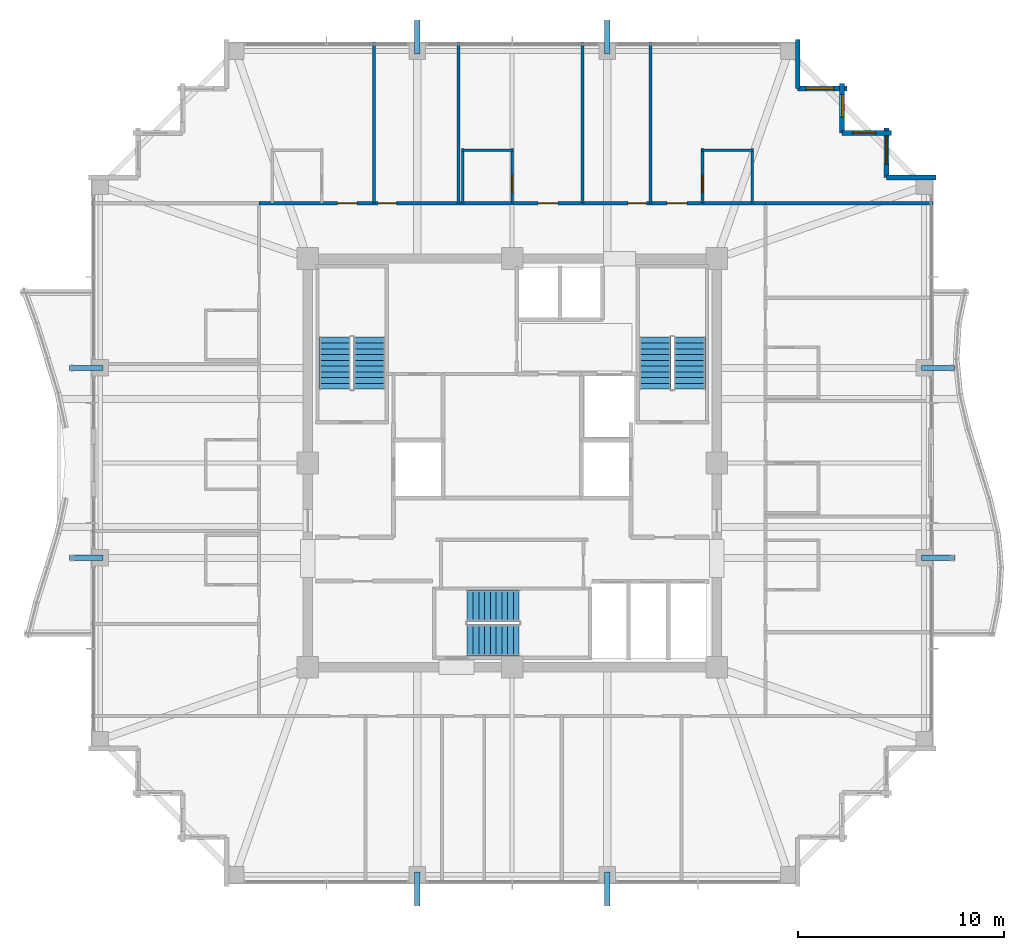
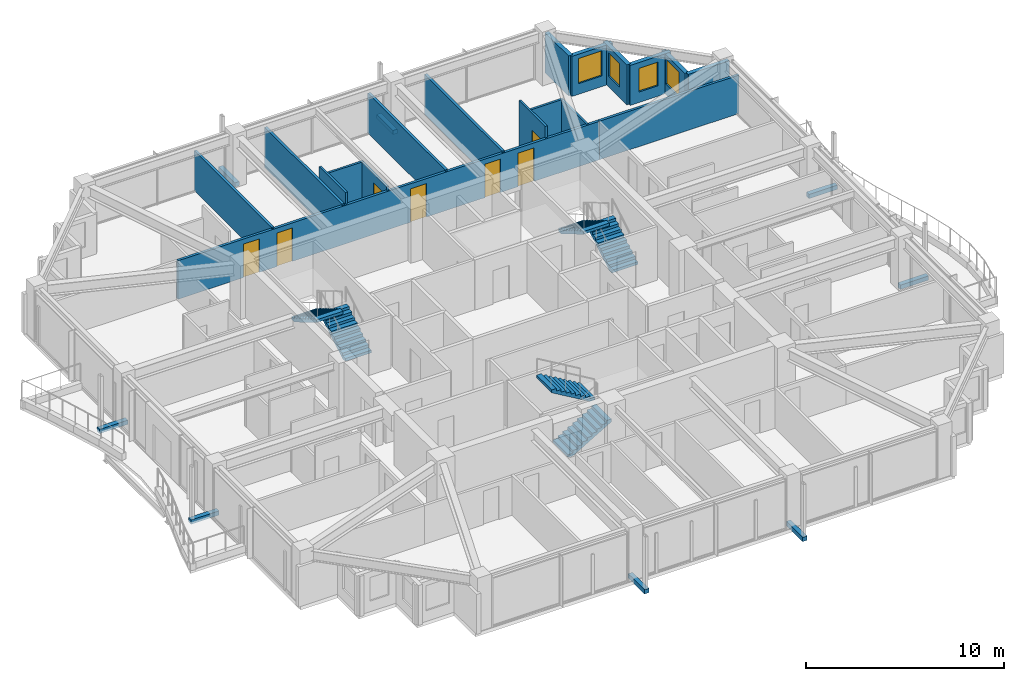
# One storey, part 33 of 35: 18 walls, 8 discrete accessories, 7 doors, 6 stair flights, 4 windows, 11 openings, 3 elements without a shape of their own.
"""IFC4 building model written with IfcOpenShell, lengths in metres."""

from ifc_helpers import new_model, si_unit, direction, frame, frame_2d, origin, origin_2d, place, context, subcontext, project, spatial, polyline, rectangle, outline, extrude, material, layer, layer_set, type_object, element, fill, aggregate, save


model = new_model("IFC4")

# Units and contexts
model_context = context("Model", 3, precision=1e-05, world=origin(), true_north=direction((0.0, 1.0)))
body_context = subcontext(model_context, "Body", "Model", "MODEL_VIEW")
ifc_project = project(units=[si_unit("LENGTHUNIT", "METRE"), si_unit("AREAUNIT", "SQUARE_METRE"), si_unit("VOLUMEUNIT", "CUBIC_METRE"), si_unit("PLANEANGLEUNIT", "RADIAN"), si_unit("MASSUNIT", "GRAM", prefix="KILO")], contexts=[model_context])

# Site, building, storey
site_placement = place(None, origin())
site = spatial("IfcSite", under=ifc_project, at=site_placement, CompositionType="ELEMENT")
building_placement = place(site_placement, origin())
building = spatial("IfcBuilding", under=site, at=building_placement, Name="Kolvaren Belvedere", CompositionType="ELEMENT")
storey_placement = place(building_placement, frame((0.0, 0.0, 216.300048828125)))
storey = spatial("IfcBuildingStorey", under=building, at=storey_placement, Name="L63", CompositionType="ELEMENT", Elevation=216.300048828125)

# Wall, openings, doors
ifc_material_1 = material(Name="Gypsum fire-rated partition assembly", Category="gypsum")
ifc_layer_1 = layer(ifc_material_1, 0.14990234375)
ifc_layer_set_1 = layer_set([ifc_layer_1], Name="Gypsum fire-rated partition assembly")
wall_type_1 = type_object("IfcWallType", Name="WL-CORR-150", PredefinedType="PARTITIONING", material=ifc_layer_set_1)
wall_1_placement = place(storey_placement, frame((-12.260009765625, 12.580078125, 0.0), z_axis=(0.0, 0.0, 1.0), x_axis=(1.0, 0.0, 0.0)))
wall_1 = element("IfcWall", 1, at=wall_1_placement, inside=storey, type_object=wall_type_1, Name="L63 North Corridor Wall", PredefinedType="PARTITIONING", context=body_context, shape_type="SweptSolid", body=[
    extrude(rectangle(XDim=24.52001953125, YDim=0.14990234375, at=frame_2d((12.260009765625, 0.0))), origin(), (0.0, 0.0, 1.0), 2.368896484375),
])
opening_1_placement = place(wall_1_placement, frame((3.802978515625, 0.0, 0.0)))
opening_1 = element("IfcOpeningElement", 2, at=opening_1_placement, cuts=wall_1, Name="Opening D-FD60", PredefinedType="OPENING", context=body_context, shape_type="SweptSolid", body=[
    extrude(rectangle(XDim=0.949951171875, YDim=2.06005859375, at=frame_2d((0.47509765625, 1.030029296875))), frame((0.0, 0.0849609375, 0.0), z_axis=(0.0, -1.0, 0.0), x_axis=(1.0, 0.0, 0.0)), (0.0, 0.0, 1.0), 0.169921875),
])
opening_2_placement = place(wall_1_placement, frame((5.761962890625, 0.0, 0.0)))
opening_2 = element("IfcOpeningElement", 3, at=opening_2_placement, cuts=wall_1, Name="Opening D-INT90", PredefinedType="OPENING", context=body_context, shape_type="SweptSolid", body=[
    extrude(rectangle(XDim=0.89990234375, YDim=2.06005859375, at=frame_2d((0.449951171875, 1.030029296875))), frame((0.0, 0.0849609375, 0.0), z_axis=(0.0, -1.0, 0.0), x_axis=(1.0, 0.0, 0.0)), (0.0, 0.0, 1.0), 0.169921875),
])
opening_3_placement = place(wall_1_placement, frame((13.517578125, 0.0, 0.0)))
opening_3 = element("IfcOpeningElement", 4, at=opening_3_placement, cuts=wall_1, Name="Opening D-FD60", PredefinedType="OPENING", context=body_context, shape_type="SweptSolid", body=[
    extrude(rectangle(XDim=0.949951171875, YDim=2.06005859375, at=frame_2d((0.47509765625, 1.030029296875))), frame((0.0, 0.0849609375, 0.0), z_axis=(0.0, -1.0, 0.0), x_axis=(1.0, 0.0, 0.0)), (0.0, 0.0, 1.0), 0.169921875),
])
opening_4_placement = place(wall_1_placement, frame((17.858154296875, 0.0, 0.0)))
opening_4 = element("IfcOpeningElement", 5, at=opening_4_placement, cuts=wall_1, Name="Opening D-INT90", PredefinedType="OPENING", context=body_context, shape_type="SweptSolid", body=[
    extrude(rectangle(XDim=0.89990234375, YDim=2.06005859375, at=frame_2d((0.449951171875, 1.030029296875))), frame((0.0, 0.0849609375, 0.0), z_axis=(0.0, -1.0, 0.0), x_axis=(1.0, 0.0, 0.0)), (0.0, 0.0, 1.0), 0.169921875),
])
opening_5_placement = place(wall_1_placement, frame((19.76708984375, 0.0, 0.0)))
opening_5 = element("IfcOpeningElement", 6, at=opening_5_placement, cuts=wall_1, Name="Opening D-FD60", PredefinedType="OPENING", context=body_context, shape_type="SweptSolid", body=[
    extrude(rectangle(XDim=0.949951171875, YDim=2.06005859375, at=frame_2d((0.47509765625, 1.030029296875))), frame((0.0, 0.0849609375, 0.0), z_axis=(0.0, -1.0, 0.0), x_axis=(1.0, 0.0, 0.0)), (0.0, 0.0, 1.0), 0.169921875),
])
ifc_material_2 = material(Name="Acoustic white-oak fire door leaf", Category="timber")
door_type_1 = type_object("IfcDoorType", Name="DR-FD60-950", OperationType="NOTDEFINED", PredefinedType="DOOR", material=ifc_material_2)
door_1_placement = place(opening_1_placement, origin())
door_1 = element("IfcDoor", 7, at=door_1_placement, inside=storey, type_object=door_type_1, Name="L63 Botanical Hospitality Suite 6314 Entry Door", OperationType="SINGLE_SWING_RIGHT", OverallHeight=2.06005859375, OverallWidth=0.949951171875, PredefinedType="DOOR", context=body_context, shape_type="SweptSolid", body=[
    extrude(rectangle(XDim=0.949951171875, YDim=2.06005859375, at=frame_2d((0.47509765625, 1.030029296875))), frame((0.0, 0.02490234375, 0.0), z_axis=(0.0, -1.0, 0.0), x_axis=(1.0, 0.0, 0.0)), (0.0, 0.0, 1.0), 0.050048828125),
])
fill(opening_1, door_1)
door_2_placement = place(opening_3_placement, origin())
door_2 = element("IfcDoor", 8, at=door_2_placement, inside=storey, type_object=door_type_1, Name="L63 Botanical Hospitality Suite 6316 Entry Door", OperationType="SINGLE_SWING_LEFT", OverallHeight=2.06005859375, OverallWidth=0.949951171875, PredefinedType="DOOR", context=body_context, shape_type="SweptSolid", body=[
    extrude(rectangle(XDim=0.949951171875, YDim=2.06005859375, at=frame_2d((0.47509765625, 1.030029296875))), frame((0.0, 0.02490234375, 0.0), z_axis=(0.0, -1.0, 0.0), x_axis=(1.0, 0.0, 0.0)), (0.0, 0.0, 1.0), 0.050048828125),
])
fill(opening_3, door_2)
door_3_placement = place(opening_5_placement, origin())
door_3 = element("IfcDoor", 9, at=door_3_placement, inside=storey, type_object=door_type_1, Name="L63 King Guest Room 6318 Entry Door", OperationType="SINGLE_SWING_RIGHT", OverallHeight=2.06005859375, OverallWidth=0.949951171875, PredefinedType="DOOR", context=body_context, shape_type="SweptSolid", body=[
    extrude(rectangle(XDim=0.949951171875, YDim=2.06005859375, at=frame_2d((0.47509765625, 1.030029296875))), frame((0.0, 0.02490234375, 0.0), z_axis=(0.0, -1.0, 0.0), x_axis=(1.0, 0.0, 0.0)), (0.0, 0.0, 1.0), 0.050048828125),
])
fill(opening_5, door_3)
ifc_material_3 = material(Name="Stained Pacific white oak", Category="timber")
door_type_2 = type_object("IfcDoorType", Name="DR-INT-900", OperationType="NOTDEFINED", PredefinedType="DOOR", material=ifc_material_3)
door_4_placement = place(opening_2_placement, origin())
door_4 = element("IfcDoor", 10, at=door_4_placement, inside=storey, type_object=door_type_2, Name="L63 Lounge 6315 Door", OperationType="SINGLE_SWING_LEFT", OverallHeight=2.06005859375, OverallWidth=0.89990234375, PredefinedType="DOOR", context=body_context, shape_type="SweptSolid", body=[
    extrude(rectangle(XDim=0.89990234375, YDim=2.06005859375, at=frame_2d((0.449951171875, 1.030029296875))), frame((0.0, 0.02490234375, 0.0), z_axis=(0.0, -1.0, 0.0), x_axis=(1.0, 0.0, 0.0)), (0.0, 0.0, 1.0), 0.050048828125),
])
fill(opening_2, door_4)
door_5_placement = place(opening_4_placement, origin())
door_5 = element("IfcDoor", 11, at=door_5_placement, inside=storey, type_object=door_type_2, Name="L63 Lounge 6317 Door", OperationType="SINGLE_SWING_RIGHT", OverallHeight=2.06005859375, OverallWidth=0.89990234375, PredefinedType="DOOR", context=body_context, shape_type="SweptSolid", body=[
    extrude(rectangle(XDim=0.89990234375, YDim=2.06005859375, at=frame_2d((0.449951171875, 1.030029296875))), frame((0.0, 0.02490234375, 0.0), z_axis=(0.0, -1.0, 0.0), x_axis=(1.0, 0.0, 0.0)), (0.0, 0.0, 1.0), 0.050048828125),
])
fill(opening_4, door_5)

# Wall
ifc_material_4 = material(Name="Insulated pale-metal facade wall assembly", Category="aluminium")
ifc_layer_2 = layer(ifc_material_4, 0.239990234375)
ifc_layer_set_2 = layer_set([ifc_layer_2], Name="Insulated pale-metal facade wall assembly")
wall_type_2 = type_object("IfcWallType", Name="WL-EXT-240", PredefinedType="STANDARD", material=ifc_layer_set_2)
wall_2_placement = place(storey_placement, frame((18.1298828125, 13.830078125, 0.0), z_axis=(0.0, 0.0, 1.0), x_axis=(1.0, 0.0, 0.0)))
element("IfcWall", 12, at=wall_2_placement, inside=storey, type_object=wall_type_2, Name="L63 Serrated Corner Facade Wall 9", PredefinedType="STANDARD", context=body_context, shape_type="SweptSolid", body=[
    extrude(rectangle(XDim=2.39013671875, YDim=0.239990234375, at=frame_2d((1.195068359375, 0.0))), origin(), (0.0, 0.0, 1.0), 2.462890625),
])

# Wall, opening, window
wall_3_placement = place(storey_placement, frame((18.1298828125, 16.219970703125, 0.0), z_axis=(0.0, 0.0, 1.0), x_axis=(0.0, -1.0, 0.0)))
wall_3 = element("IfcWall", 13, at=wall_3_placement, inside=storey, type_object=wall_type_2, Name="L63 Serrated Corner Facade Wall 10", PredefinedType="STANDARD", context=body_context, shape_type="SweptSolid", body=[
    extrude(rectangle(XDim=2.389892578125, YDim=0.239990234375, at=frame_2d((1.19482421875, 0.0))), origin(), (0.0, 0.0, 1.0), 2.462890625),
])
opening_6_placement = place(wall_3_placement, frame((0.39990234375, 0.0, 0.64990234375)))
opening_6 = element("IfcOpeningElement", 14, at=opening_6_placement, cuts=wall_3, Name="Opening W-1350", PredefinedType="OPENING", context=body_context, shape_type="SweptSolid", body=[
    extrude(rectangle(XDim=1.35009765625, YDim=1.550048828125, at=frame_2d((0.675048828125, 0.77490234375))), frame((0.0, 0.1298828125, 0.0), z_axis=(0.0, -1.0, 0.0), x_axis=(1.0, 0.0, 0.0)), (0.0, 0.0, 1.0), 0.260009765625),
])
ifc_material_5 = material(Name="Low-iron triple insulated glass", Category="glass")
window_type_1 = type_object("IfcWindowType", Name="WN-CORN-1350", PartitioningType="SINGLE_PANEL", PredefinedType="WINDOW", material=ifc_material_5)
window_1_placement = place(opening_6_placement, origin())
window_1 = element("IfcWindow", 15, at=window_1_placement, inside=storey, type_object=window_type_1, Name="L63 Serrated Corner Vision Window 10", OverallHeight=1.550048828125, OverallWidth=1.35009765625, PartitioningType="SINGLE_PANEL", PredefinedType="WINDOW", context=body_context, shape_type="SweptSolid", body=[
    extrude(rectangle(XDim=1.35009765625, YDim=1.550048828125, at=frame_2d((0.675048828125, 0.77490234375))), frame((0.0, 0.030029296875, 0.0), z_axis=(0.0, -1.0, 0.0), x_axis=(1.0, 0.0, 0.0)), (0.0, 0.0, 1.0), 0.06005859375),
])
fill(opening_6, window_1)

wall_4_placement = place(storey_placement, frame((15.97998046875, 15.97998046875, 0.0), z_axis=(0.0, 0.0, 1.0), x_axis=(1.0, 0.0, 0.0)))
wall_4 = element("IfcWall", 16, at=wall_4_placement, inside=storey, type_object=wall_type_2, Name="L63 Serrated Corner Facade Wall 11", PredefinedType="STANDARD", context=body_context, shape_type="SweptSolid", body=[
    extrude(rectangle(XDim=2.39013671875, YDim=0.239990234375, at=frame_2d((1.195068359375, 0.0))), origin(), (0.0, 0.0, 1.0), 2.462890625),
])
opening_7_placement = place(wall_4_placement, frame((0.52490234375, 0.0, 0.64990234375)))
opening_7 = element("IfcOpeningElement", 17, at=opening_7_placement, cuts=wall_4, Name="Opening W-1100", PredefinedType="OPENING", context=body_context, shape_type="SweptSolid", body=[
    extrude(rectangle(XDim=1.10009765625, YDim=1.449951171875, at=frame_2d((0.550048828125, 0.72509765625))), frame((0.0, 0.1298828125, 0.0), z_axis=(0.0, -1.0, 0.0), x_axis=(1.0, 0.0, 0.0)), (0.0, 0.0, 1.0), 0.260009765625),
])
ifc_material_6 = material(Name="Low-iron triple insulated glass", Category="glass")
window_type_2 = type_object("IfcWindowType", Name="WN-CORN-1100", PartitioningType="SINGLE_PANEL", PredefinedType="WINDOW", material=ifc_material_6)
window_2_placement = place(opening_7_placement, origin())
window_2 = element("IfcWindow", 18, at=window_2_placement, inside=storey, type_object=window_type_2, Name="L63 Serrated Corner Vision Window 11", OverallHeight=1.449951171875, OverallWidth=1.10009765625, PartitioningType="SINGLE_PANEL", PredefinedType="WINDOW", context=body_context, shape_type="SweptSolid", body=[
    extrude(rectangle(XDim=1.10009765625, YDim=1.449951171875, at=frame_2d((0.550048828125, 0.72509765625))), frame((0.0, 0.030029296875, 0.0), z_axis=(0.0, -1.0, 0.0), x_axis=(1.0, 0.0, 0.0)), (0.0, 0.0, 1.0), 0.06005859375),
])
fill(opening_7, window_2)

wall_5_placement = place(storey_placement, frame((15.97998046875, 18.3701171875, 0.0), z_axis=(0.0, 0.0, 1.0), x_axis=(0.0, -1.0, 0.0)))
wall_5 = element("IfcWall", 19, at=wall_5_placement, inside=storey, type_object=wall_type_2, Name="L63 Serrated Corner Facade Wall 12", PredefinedType="STANDARD", context=body_context, shape_type="SweptSolid", body=[
    extrude(rectangle(XDim=2.39013671875, YDim=0.239990234375, at=frame_2d((1.195068359375, 0.0))), origin(), (0.0, 0.0, 1.0), 2.462890625),
])
opening_8_placement = place(wall_5_placement, frame((0.52490234375, 0.0, 0.64990234375)))
opening_8 = element("IfcOpeningElement", 20, at=opening_8_placement, cuts=wall_5, Name="Opening W-1100", PredefinedType="OPENING", context=body_context, shape_type="SweptSolid", body=[
    extrude(rectangle(XDim=1.10009765625, YDim=1.449951171875, at=frame_2d((0.550048828125, 0.72509765625))), frame((0.0, 0.1298828125, 0.0), z_axis=(0.0, -1.0, 0.0), x_axis=(1.0, 0.0, 0.0)), (0.0, 0.0, 1.0), 0.260009765625),
])
window_3_placement = place(opening_8_placement, origin())
window_3 = element("IfcWindow", 21, at=window_3_placement, inside=storey, type_object=window_type_2, Name="L63 Serrated Corner Vision Window 12", OverallHeight=1.449951171875, OverallWidth=1.10009765625, PartitioningType="SINGLE_PANEL", PredefinedType="WINDOW", context=body_context, shape_type="SweptSolid", body=[
    extrude(rectangle(XDim=1.10009765625, YDim=1.449951171875, at=frame_2d((0.550048828125, 0.72509765625))), frame((0.0, 0.030029296875, 0.0), z_axis=(0.0, -1.0, 0.0), x_axis=(1.0, 0.0, 0.0)), (0.0, 0.0, 1.0), 0.06005859375),
])
fill(opening_8, window_3)

wall_6_placement = place(storey_placement, frame((13.830078125, 18.1298828125, 0.0), z_axis=(0.0, 0.0, 1.0), x_axis=(1.0, 0.0, 0.0)))
wall_6 = element("IfcWall", 22, at=wall_6_placement, inside=storey, type_object=wall_type_2, Name="L63 Serrated Corner Facade Wall 13", PredefinedType="STANDARD", context=body_context, shape_type="SweptSolid", body=[
    extrude(rectangle(XDim=2.389892578125, YDim=0.239990234375, at=frame_2d((1.19482421875, 0.0))), origin(), (0.0, 0.0, 1.0), 2.462890625),
])
opening_9_placement = place(wall_6_placement, frame((0.39990234375, 0.0, 0.64990234375)))
opening_9 = element("IfcOpeningElement", 23, at=opening_9_placement, cuts=wall_6, Name="Opening W-1350", PredefinedType="OPENING", context=body_context, shape_type="SweptSolid", body=[
    extrude(rectangle(XDim=1.35009765625, YDim=1.550048828125, at=frame_2d((0.675048828125, 0.77490234375))), frame((0.0, 0.1298828125, 0.0), z_axis=(0.0, -1.0, 0.0), x_axis=(1.0, 0.0, 0.0)), (0.0, 0.0, 1.0), 0.260009765625),
])
window_4_placement = place(opening_9_placement, origin())
window_4 = element("IfcWindow", 24, at=window_4_placement, inside=storey, type_object=window_type_1, Name="L63 Serrated Corner Vision Window 13", OverallHeight=1.550048828125, OverallWidth=1.35009765625, PartitioningType="SINGLE_PANEL", PredefinedType="WINDOW", context=body_context, shape_type="SweptSolid", body=[
    extrude(rectangle(XDim=1.35009765625, YDim=1.550048828125, at=frame_2d((0.675048828125, 0.77490234375))), frame((0.0, 0.030029296875, 0.0), z_axis=(0.0, -1.0, 0.0), x_axis=(1.0, 0.0, 0.0)), (0.0, 0.0, 1.0), 0.06005859375),
])
fill(opening_9, window_4)

# Walls
wall_7_placement = place(storey_placement, frame((13.830078125, 20.52001953125, 0.0), z_axis=(0.0, 0.0, 1.0), x_axis=(0.0, -1.0, 0.0)))
element("IfcWall", 25, at=wall_7_placement, inside=storey, type_object=wall_type_2, Name="L63 Serrated Corner Facade Wall 14", PredefinedType="STANDARD", context=body_context, shape_type="SweptSolid", body=[
    extrude(rectangle(XDim=2.39013671875, YDim=0.239990234375, at=frame_2d((1.195068359375, 0.0))), origin(), (0.0, 0.0, 1.0), 2.462890625),
])
ifc_material_7 = material(Name="Gypsum acoustic partition assembly", Category="gypsum")
ifc_layer_3 = layer(ifc_material_7, 0.14990234375)
ifc_layer_set_3 = layer_set([ifc_layer_3], Name="Gypsum acoustic partition assembly")
wall_type_3 = type_object("IfcWallType", Name="WL-PART-150", PredefinedType="PARTITIONING", material=ifc_layer_set_3)
wall_8_placement = place(storey_placement, frame((12.260009765625, 12.580078125, 0.0), z_axis=(0.0, 0.0, 1.0), x_axis=(1.0, 0.0, 0.0)))
element("IfcWall", 26, at=wall_8_placement, inside=storey, type_object=wall_type_3, Name="L63 Wing Divider PW-L63-QNE", PredefinedType="PARTITIONING", context=body_context, shape_type="SweptSolid", body=[
    extrude(rectangle(XDim=8.119873046875, YDim=0.14990234375, at=frame_2d((4.06005859375, 0.0))), origin(), (0.0, 0.0, 1.0), 2.368896484375),
])
for number, where, z_axis, x_axis, name in (
    (27, (-6.699951171875, 12.580078125, 0.0), (0.0, 0.0, 1.0), (0.0, 1.0, 0.0), "L63 North Suite Demising Wall 1"),
    (28, (-2.60009765625, 12.580078125, 0.0), (0.0, 0.0, 1.0), (0.0, 1.0, 0.0), "L63 North Suite Demising Wall 2"),
    (29, (3.39990234375, 12.580078125, 0.0), (0.0, 0.0, 1.0), (0.0, 1.0, 0.0), "L63 North Suite Demising Wall 3"),
    (30, (6.699951171875, 12.580078125, 0.0), (0.0, 0.0, 1.0), (0.0, 1.0, 0.0), "L63 North Suite Demising Wall 4"),
):
    element("IfcWall", number, at=place(storey_placement, frame(where, z_axis=z_axis, x_axis=x_axis)), inside=storey, type_object=wall_type_3, Name=name, PredefinedType="PARTITIONING", context=body_context, shape_type="SweptSolid", body=[
        extrude(rectangle(XDim=7.7998046875, YDim=0.14990234375, at=frame_2d((3.89990234375, 0.0))), origin(), (0.0, 0.0, 1.0), 2.452880859375),
    ])

# Wall, opening, door
ifc_material_8 = material(Name="Moisture-resistant gypsum partition", Category="gypsum")
ifc_layer_4 = layer(ifc_material_8, 0.125)
ifc_layer_set_4 = layer_set([ifc_layer_4], Name="Moisture-resistant gypsum partition")
wall_type_4 = type_object("IfcWallType", Name="WL-WET-125", PredefinedType="PARTITIONING", material=ifc_layer_set_4)
wall_9_placement = place(storey_placement, frame((-0.0048828125, 12.594970703125, 0.0), z_axis=(0.0, 0.0, 1.0), x_axis=(0.0, 1.0, 0.0)))
wall_9 = element("IfcWall", 31, at=wall_9_placement, inside=storey, type_object=wall_type_4, Name="L63 Bathroom Partition PW-L63-BTH-16-E", PredefinedType="PARTITIONING", context=body_context, shape_type="SweptSolid", body=[
    extrude(rectangle(XDim=2.64013671875, YDim=0.125, at=frame_2d((1.320068359375, 0.0))), origin(), (0.0, 0.0, 1.0), 2.60498046875),
])
opening_10_placement = place(wall_9_placement, frame((0.5, 0.0, 0.0)))
opening_10 = element("IfcOpeningElement", 32, at=opening_10_placement, cuts=wall_9, Name="Opening D-BTH85", PredefinedType="OPENING", context=body_context, shape_type="SweptSolid", body=[
    extrude(rectangle(XDim=0.85009765625, YDim=2.030029296875, at=frame_2d((0.425048828125, 1.01513671875))), frame((0.0, 0.072509765625, 0.0), z_axis=(0.0, -1.0, 0.0), x_axis=(1.0, 0.0, 0.0)), (0.0, 0.0, 1.0), 0.14501953125),
])
ifc_material_9 = material(Name="Moisture-sealed Pacific white oak", Category="timber")
door_type_3 = type_object("IfcDoorType", Name="DR-BATH-850", OperationType="NOTDEFINED", PredefinedType="DOOR", material=ifc_material_9)
door_6_placement = place(opening_10_placement, origin())
door_6 = element("IfcDoor", 33, at=door_6_placement, inside=storey, type_object=door_type_3, Name="L63 En-Suite Bathroom 6316 Door", OperationType="SINGLE_SWING_RIGHT", OverallHeight=2.030029296875, OverallWidth=0.85009765625, PredefinedType="DOOR", context=body_context, shape_type="SweptSolid", body=[
    extrude(rectangle(XDim=0.85009765625, YDim=2.030029296875, at=frame_2d((0.425048828125, 1.01513671875))), frame((0.0, 0.02490234375, 0.0), z_axis=(0.0, -1.0, 0.0), x_axis=(1.0, 0.0, 0.0)), (0.0, 0.0, 1.0), 0.050048828125),
])
fill(opening_10, door_6)

# Walls
wall_10_placement = place(storey_placement, frame((-2.465087890625, 15.155029296875, 0.0), z_axis=(0.0, 0.0, 1.0), x_axis=(1.0, 0.0, 0.0)))
element("IfcWall", 34, at=wall_10_placement, inside=storey, type_object=wall_type_4, Name="L63 Bathroom Partition PW-L63-BTH-16-H", PredefinedType="PARTITIONING", context=body_context, shape_type="SweptSolid", body=[
    extrude(rectangle(XDim=2.52001953125, YDim=0.125, at=frame_2d((1.260009765625, 0.0))), origin(), (0.0, 0.0, 1.0), 2.60498046875),
])
wall_11_placement = place(storey_placement, frame((-2.405029296875, 12.594970703125, 0.0), z_axis=(0.0, 0.0, 1.0), x_axis=(0.0, 1.0, 0.0)))
element("IfcWall", 35, at=wall_11_placement, inside=storey, type_object=wall_type_4, Name="L63 Bathroom Partition PW-L63-BTH-16-W", PredefinedType="PARTITIONING", context=body_context, shape_type="SweptSolid", body=[
    extrude(rectangle(XDim=2.64013671875, YDim=0.125, at=frame_2d((1.320068359375, 0.0))), origin(), (0.0, 0.0, 1.0), 3.079833984375),
])

# Wall, opening, door
wall_12_placement = place(storey_placement, frame((9.218017578125, 12.594970703125, 0.0), z_axis=(0.0, 0.0, 1.0), x_axis=(0.0, 1.0, 0.0)))
wall_12 = element("IfcWall", 36, at=wall_12_placement, inside=storey, type_object=wall_type_4, Name="L63 Bathroom Partition PW-L63-BTH-18-E", PredefinedType="PARTITIONING", context=body_context, shape_type="SweptSolid", body=[
    extrude(rectangle(XDim=2.64013671875, YDim=0.125, at=frame_2d((1.320068359375, 0.0))), origin(), (0.0, 0.0, 1.0), 3.079833984375),
])
opening_11_placement = place(wall_12_placement, frame((0.5, 0.0, 0.0)))
opening_11 = element("IfcOpeningElement", 37, at=opening_11_placement, cuts=wall_12, Name="Opening D-BTH85", PredefinedType="OPENING", context=body_context, shape_type="SweptSolid", body=[
    extrude(rectangle(XDim=0.85009765625, YDim=2.030029296875, at=frame_2d((0.425048828125, 1.01513671875))), frame((0.0, 0.072509765625, 0.0), z_axis=(0.0, -1.0, 0.0), x_axis=(1.0, 0.0, 0.0)), (0.0, 0.0, 1.0), 0.14501953125),
])
door_7_placement = place(opening_11_placement, origin())
door_7 = element("IfcDoor", 38, at=door_7_placement, inside=storey, type_object=door_type_3, Name="L63 En-Suite Bathroom 6318 Door", OperationType="SINGLE_SWING_LEFT", OverallHeight=2.030029296875, OverallWidth=0.85009765625, PredefinedType="DOOR", context=body_context, shape_type="SweptSolid", body=[
    extrude(rectangle(XDim=0.85009765625, YDim=2.030029296875, at=frame_2d((0.425048828125, 1.01513671875))), frame((0.0, 0.02490234375, 0.0), z_axis=(0.0, -1.0, 0.0), x_axis=(1.0, 0.0, 0.0)), (0.0, 0.0, 1.0), 0.050048828125),
])
fill(opening_11, door_7)

# Walls
wall_13_placement = place(storey_placement, frame((9.157958984375, 15.155029296875, 0.0), z_axis=(0.0, 0.0, 1.0), x_axis=(1.0, 0.0, 0.0)))
element("IfcWall", 39, at=wall_13_placement, inside=storey, type_object=wall_type_4, Name="L63 Bathroom Partition PW-L63-BTH-18-H", PredefinedType="PARTITIONING", context=body_context, shape_type="SweptSolid", body=[
    extrude(rectangle(XDim=2.52001953125, YDim=0.125, at=frame_2d((1.260009765625, 0.0))), origin(), (0.0, 0.0, 1.0), 2.368896484375),
])
wall_14_placement = place(storey_placement, frame((11.617919921875, 12.594970703125, 0.0), z_axis=(0.0, 0.0, 1.0), x_axis=(0.0, 1.0, 0.0)))
element("IfcWall", 40, at=wall_14_placement, inside=storey, type_object=wall_type_4, Name="L63 Bathroom Partition PW-L63-BTH-18-W", PredefinedType="PARTITIONING", context=body_context, shape_type="SweptSolid", body=[
    extrude(rectangle(XDim=2.64013671875, YDim=0.125, at=frame_2d((1.320068359375, 0.0))), origin(), (0.0, 0.0, 1.0), 2.368896484375),
])

# Stair, stair flights
ifc_material_10 = material(Name="Concrete C50/60", Category="concrete")
stair_type = type_object("IfcStairType", Name="ST-CORE-1520", PredefinedType="HALF_TURN_STAIR", material=ifc_material_10)
stair_1_placement = place(storey_placement, origin())
stair_1 = element("IfcStair", 41, at=stair_1_placement, inside=storey, type_object=stair_type, Name="L63 Protected Exit Stair ST-1", PredefinedType="HALF_TURN_STAIR")
ifc_material_11 = material(Name="Concrete C50/60", Category="concrete")
stair_flight_type = type_object("IfcStairFlightType", Name="SF-STR-1520", PredefinedType="STRAIGHT", material=ifc_material_11)
stair_flight_1_placement = place(storey_placement, frame((-6.919921875, 3.570068359375, 0.0), z_axis=(0.0, 0.0, 1.0), x_axis=(0.0, 1.0, 0.0)))
stair_flight_1 = element("IfcStairFlight", 42, at=stair_flight_1_placement, type_object=stair_flight_type, Name="ST-1 flight 1", NumberOfRisers=10, NumberOfTreads=9, PredefinedType="STRAIGHT", RiserHeight=0.165, TreadLength=0.28, context=body_context, shape_type="SweptSolid", body=[
    extrude(outline(polyline([(0.0, 0.0), (0.0, 0.1650390625), (0.280029296875, 0.1650390625), (0.280029296875, 0.330078125), (0.56005859375, 0.330078125), (0.56005859375, 0.4951171875), (0.840087890625, 0.4951171875), (0.840087890625, 0.659912109375), (1.1201171875, 0.659912109375), (1.1201171875, 0.824951171875), (1.39990234375, 0.824951171875), (1.39990234375, 0.989990234375), (1.679931640625, 0.989990234375), (1.679931640625, 1.155029296875), (1.9599609375, 1.155029296875), (1.9599609375, 1.320068359375), (2.239990234375, 1.320068359375), (2.239990234375, 1.485107421875), (2.52001953125, 1.485107421875), (2.52001953125, 1.64990234375), (2.52001953125, 1.31103515625), (0.295166015625, 0.0), (0.0, 0.0)])), frame((0.0, 0.760009765625, 0.0), z_axis=(0.0, -1.0, 0.0), x_axis=(1.0, 0.0, 0.0)), (0.0, 0.0, 1.0), 1.52001953125),
])
stair_flight_2_placement = place(storey_placement, frame((-8.590087890625, 6.090087890625, 1.64990234375), z_axis=(0.0, 0.0, 1.0), x_axis=(0.0, -1.0, 0.0)))
stair_flight_2 = element("IfcStairFlight", 43, at=stair_flight_2_placement, type_object=stair_flight_type, Name="ST-1 flight 2", NumberOfRisers=10, NumberOfTreads=9, PredefinedType="STRAIGHT", RiserHeight=0.165, TreadLength=0.28, context=body_context, shape_type="SweptSolid", body=[
    extrude(outline(polyline([(0.0, 0.0), (0.0, 0.1650390625), (0.280029296875, 0.1650390625), (0.280029296875, 0.330078125), (0.56005859375, 0.330078125), (0.56005859375, 0.4951171875), (0.840087890625, 0.4951171875), (0.840087890625, 0.659912109375), (1.1201171875, 0.659912109375), (1.1201171875, 0.824951171875), (1.39990234375, 0.824951171875), (1.39990234375, 0.989990234375), (1.679931640625, 0.989990234375), (1.679931640625, 1.155029296875), (1.9599609375, 1.155029296875), (1.9599609375, 1.320068359375), (2.239990234375, 1.320068359375), (2.239990234375, 1.485107421875), (2.52001953125, 1.485107421875), (2.52001953125, 1.64990234375), (2.52001953125, 1.31103515625), (0.295166015625, 0.0), (0.0, 0.0)])), frame((0.0, 0.760009765625, 0.0), z_axis=(0.0, -1.0, 0.0), x_axis=(1.0, 0.0, 0.0)), (0.0, 0.0, 1.0), 1.52001953125),
])
aggregate(stair_1, [stair_flight_1, stair_flight_2])

stair_2_placement = place(storey_placement, origin())
stair_2 = element("IfcStair", 44, at=stair_2_placement, inside=storey, type_object=stair_type, Name="L63 Protected Exit Stair ST-2", PredefinedType="HALF_TURN_STAIR")
stair_flight_3_placement = place(storey_placement, frame((8.590087890625, 3.570068359375, 0.0), z_axis=(0.0, 0.0, 1.0), x_axis=(0.0, 1.0, 0.0)))
stair_flight_3 = element("IfcStairFlight", 45, at=stair_flight_3_placement, type_object=stair_flight_type, Name="ST-2 flight 1", NumberOfRisers=10, NumberOfTreads=9, PredefinedType="STRAIGHT", RiserHeight=0.165, TreadLength=0.28, context=body_context, shape_type="SweptSolid", body=[
    extrude(outline(polyline([(0.0, 0.0), (0.0, 0.1650390625), (0.280029296875, 0.1650390625), (0.280029296875, 0.330078125), (0.56005859375, 0.330078125), (0.56005859375, 0.4951171875), (0.840087890625, 0.4951171875), (0.840087890625, 0.659912109375), (1.1201171875, 0.659912109375), (1.1201171875, 0.824951171875), (1.39990234375, 0.824951171875), (1.39990234375, 0.989990234375), (1.679931640625, 0.989990234375), (1.679931640625, 1.155029296875), (1.9599609375, 1.155029296875), (1.9599609375, 1.320068359375), (2.239990234375, 1.320068359375), (2.239990234375, 1.485107421875), (2.52001953125, 1.485107421875), (2.52001953125, 1.64990234375), (2.52001953125, 1.31103515625), (0.295166015625, 0.0), (0.0, 0.0)])), frame((0.0, 0.760009765625, 0.0), z_axis=(0.0, -1.0, 0.0), x_axis=(1.0, 0.0, 0.0)), (0.0, 0.0, 1.0), 1.52001953125),
])
stair_flight_4_placement = place(storey_placement, frame((6.919921875, 6.090087890625, 1.64990234375), z_axis=(0.0, 0.0, 1.0), x_axis=(0.0, -1.0, 0.0)))
stair_flight_4 = element("IfcStairFlight", 46, at=stair_flight_4_placement, type_object=stair_flight_type, Name="ST-2 flight 2", NumberOfRisers=10, NumberOfTreads=9, PredefinedType="STRAIGHT", RiserHeight=0.165, TreadLength=0.28, context=body_context, shape_type="SweptSolid", body=[
    extrude(outline(polyline([(0.0, 0.0), (0.0, 0.1650390625), (0.280029296875, 0.1650390625), (0.280029296875, 0.330078125), (0.56005859375, 0.330078125), (0.56005859375, 0.4951171875), (0.840087890625, 0.4951171875), (0.840087890625, 0.659912109375), (1.1201171875, 0.659912109375), (1.1201171875, 0.824951171875), (1.39990234375, 0.824951171875), (1.39990234375, 0.989990234375), (1.679931640625, 0.989990234375), (1.679931640625, 1.155029296875), (1.9599609375, 1.155029296875), (1.9599609375, 1.320068359375), (2.239990234375, 1.320068359375), (2.239990234375, 1.485107421875), (2.52001953125, 1.485107421875), (2.52001953125, 1.64990234375), (2.52001953125, 1.31103515625), (0.295166015625, 0.0), (0.0, 0.0)])), frame((0.0, 0.760009765625, 0.0), z_axis=(0.0, -1.0, 0.0), x_axis=(1.0, 0.0, 0.0)), (0.0, 0.0, 1.0), 1.52001953125),
])
aggregate(stair_2, [stair_flight_3, stair_flight_4])

stair_3_placement = place(storey_placement, origin())
stair_3 = element("IfcStair", 47, at=stair_3_placement, inside=storey, type_object=stair_type, Name="L63 Protected Exit Stair ST-3", PredefinedType="HALF_TURN_STAIR")
stair_flight_5_placement = place(storey_placement, frame((-2.179931640625, -8.590087890625, 0.0), z_axis=(0.0, 0.0, 1.0), x_axis=(1.0, 0.0, 0.0)))
stair_flight_5 = element("IfcStairFlight", 48, at=stair_flight_5_placement, type_object=stair_flight_type, Name="ST-3 flight 1", NumberOfRisers=10, NumberOfTreads=9, PredefinedType="STRAIGHT", RiserHeight=0.165, TreadLength=0.28, context=body_context, shape_type="SweptSolid", body=[
    extrude(outline(polyline([(0.0, 0.0), (0.0, 0.1650390625), (0.280029296875, 0.1650390625), (0.280029296875, 0.330078125), (0.56005859375, 0.330078125), (0.56005859375, 0.4951171875), (0.840087890625, 0.4951171875), (0.840087890625, 0.659912109375), (1.1201171875, 0.659912109375), (1.1201171875, 0.824951171875), (1.39990234375, 0.824951171875), (1.39990234375, 0.989990234375), (1.679931640625, 0.989990234375), (1.679931640625, 1.155029296875), (1.9599609375, 1.155029296875), (1.9599609375, 1.320068359375), (2.239990234375, 1.320068359375), (2.239990234375, 1.485107421875), (2.52001953125, 1.485107421875), (2.52001953125, 1.64990234375), (2.52001953125, 1.31103515625), (0.295166015625, 0.0), (0.0, 0.0)])), frame((0.0, 0.760009765625, 0.0), z_axis=(0.0, -1.0, 0.0), x_axis=(1.0, 0.0, 0.0)), (0.0, 0.0, 1.0), 1.52001953125),
])
stair_flight_6_placement = place(storey_placement, frame((0.340087890625, -6.919921875, 1.64990234375), z_axis=(0.0, 0.0, 1.0), x_axis=(-1.0, 0.0, 0.0)))
stair_flight_6 = element("IfcStairFlight", 49, at=stair_flight_6_placement, type_object=stair_flight_type, Name="ST-3 flight 2", NumberOfRisers=10, NumberOfTreads=9, PredefinedType="STRAIGHT", RiserHeight=0.165, TreadLength=0.28, context=body_context, shape_type="SweptSolid", body=[
    extrude(outline(polyline([(0.0, 0.0), (0.0, 0.1650390625), (0.280029296875, 0.1650390625), (0.280029296875, 0.330078125), (0.56005859375, 0.330078125), (0.56005859375, 0.4951171875), (0.840087890625, 0.4951171875), (0.840087890625, 0.659912109375), (1.1201171875, 0.659912109375), (1.1201171875, 0.824951171875), (1.39990234375, 0.824951171875), (1.39990234375, 0.989990234375), (1.679931640625, 0.989990234375), (1.679931640625, 1.155029296875), (1.9599609375, 1.155029296875), (1.9599609375, 1.320068359375), (2.239990234375, 1.320068359375), (2.239990234375, 1.485107421875), (2.52001953125, 1.485107421875), (2.52001953125, 1.64990234375), (2.52001953125, 1.31103515625), (0.295166015625, 0.0), (0.0, 0.0)])), frame((0.0, 0.760009765625, 0.0), z_axis=(0.0, -1.0, 0.0), x_axis=(1.0, 0.0, 0.0)), (0.0, 0.0, 1.0), 1.52001953125),
])
aggregate(stair_3, [stair_flight_5, stair_flight_6])

# Discrete accessories
ifc_material_12 = material(Name="Structural steel ASTM A572 Grade 50", Category="steel")
discrete_accessory_type = type_object("IfcDiscreteAccessoryType", Name="BRK-1 Steel Facade Support Bracket", PredefinedType="BRACKET", material=ifc_material_12)
for number, where, z_axis, x_axis, name in (
    (50, (-4.60009765625, 20.635009765625, -0.169921875), (0.0, 0.0, 1.0), (0.0, 1.0, 0.0), "L63 Picture-Frame Outrigger Cleat Bracket N1"),
    (51, (4.60009765625, 20.635009765625, -0.169921875), (0.0, 0.0, 1.0), (0.0, 1.0, 0.0), "L63 Picture-Frame Outrigger Cleat Bracket N2"),
    (52, (4.60009765625, -20.635009765625, -0.169921875), (0.0, 0.0, 1.0), (0.0, 1.0, 0.0), "L63 Picture-Frame Outrigger Cleat Bracket S1"),
    (53, (-4.60009765625, -20.635009765625, -0.169921875), (0.0, 0.0, 1.0), (0.0, 1.0, 0.0), "L63 Picture-Frame Outrigger Cleat Bracket S2"),
    (54, (20.635009765625, 4.60009765625, -0.169921875), (0.0, 0.0, 1.0), (1.0, 0.0, 0.0), "L63 Picture-Frame Outrigger Cleat Bracket E1"),
    (55, (20.635009765625, -4.60009765625, -0.169921875), (0.0, 0.0, 1.0), (1.0, 0.0, 0.0), "L63 Picture-Frame Outrigger Cleat Bracket E2"),
    (56, (-20.635009765625, -4.60009765625, -0.169921875), (0.0, 0.0, 1.0), (1.0, 0.0, 0.0), "L63 Picture-Frame Outrigger Cleat Bracket W1"),
    (57, (-20.635009765625, 4.60009765625, -0.169921875), (0.0, 0.0, 1.0), (1.0, 0.0, 0.0), "L63 Picture-Frame Outrigger Cleat Bracket W2"),
):
    element("IfcDiscreteAccessory", number, at=place(storey_placement, frame(where, z_axis=z_axis, x_axis=x_axis)), inside=storey, type_object=discrete_accessory_type, Name=name, PredefinedType="BRACKET", context=body_context, shape_type="SweptSolid", body=[
        extrude(rectangle(XDim=1.639892578125, YDim=0.260009765625, at=origin_2d()), origin(), (0.0, 0.0, 1.0), 0.260009765625),
    ])

save(model, "model.ifc")
